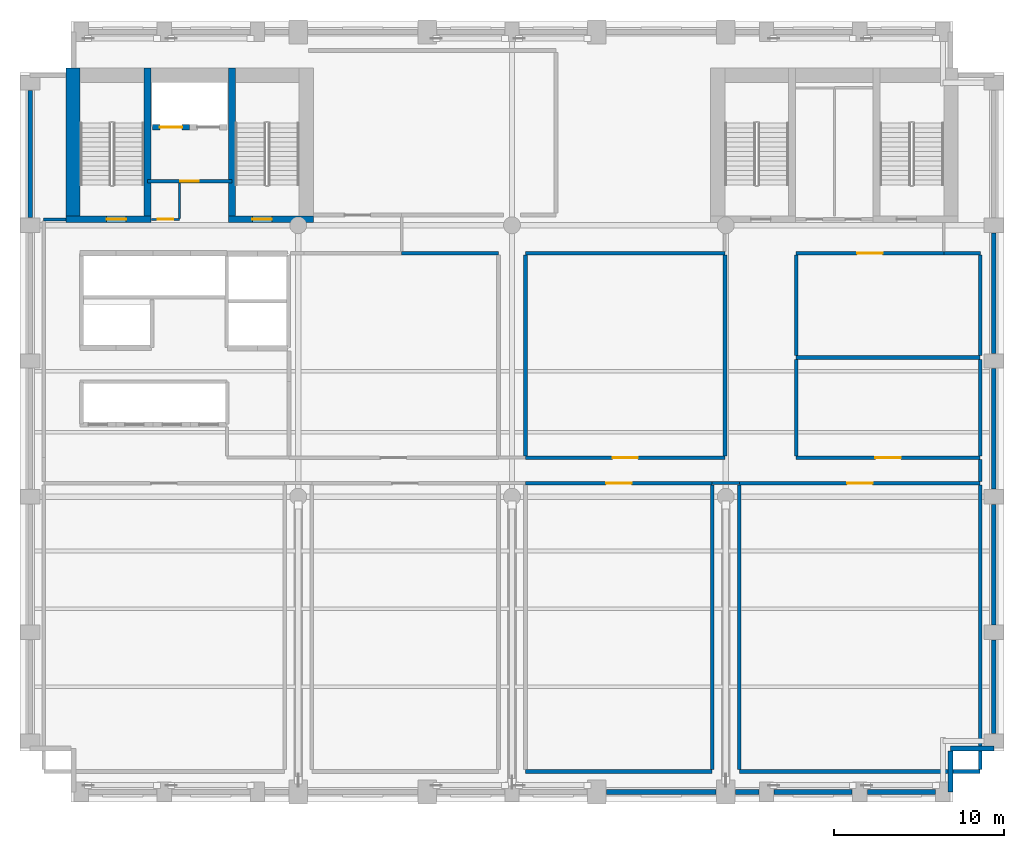
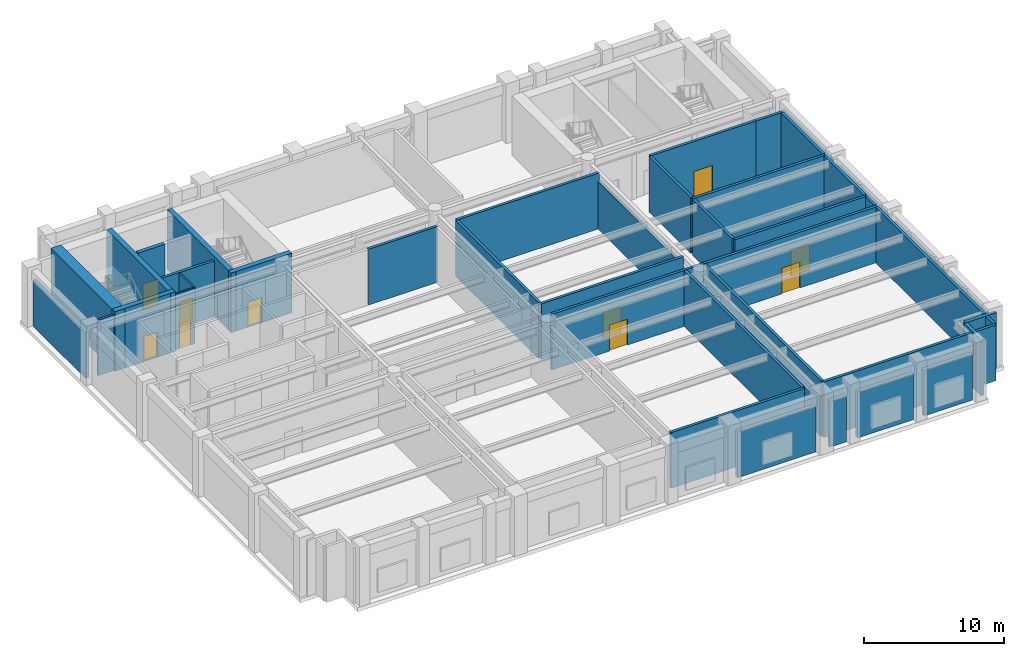
# One storey, part 6 of 11: 43 walls, 10 doors, 10 openings.
"""IFC4 building model written with IfcOpenShell, lengths in metres."""

from ifc_helpers import new_model, si_unit, direction, frame, frame_2d, origin, place, context, subcontext, project, spatial, rectangle, extrude, material, layer, layer_set, type_object, element, fill, save


model = new_model("IFC4")

# Units and contexts
model_context = context("Model", 3, precision=1e-05, world=origin(), true_north=direction((0.0, 1.0)))
body_context = subcontext(model_context, "Body", "Model", "MODEL_VIEW")
ifc_project = project(units=[si_unit("LENGTHUNIT", "METRE"), si_unit("AREAUNIT", "SQUARE_METRE"), si_unit("VOLUMEUNIT", "CUBIC_METRE"), si_unit("PLANEANGLEUNIT", "RADIAN"), si_unit("MASSUNIT", "GRAM", prefix="KILO")], contexts=[model_context])

# Site, building, storey
site_placement = place(None, origin())
site = spatial("IfcSite", under=ifc_project, at=site_placement, CompositionType="ELEMENT")
building_placement = place(site_placement, origin())
building = spatial("IfcBuilding", under=site, at=building_placement, Name="Sulina Concourse Tower", CompositionType="ELEMENT")
storey_placement = place(building_placement, frame((0.0, 0.0, 82.60009765625)))
storey = spatial("IfcBuildingStorey", under=building, at=storey_placement, Name="L20", CompositionType="ELEMENT", Elevation=82.60009765625)

# Wall, opening, door
ifc_material_1 = material(Name="Concrete C50/60", Category="concrete")
ifc_layer_1 = layer(ifc_material_1, 0.300048828125)
ifc_layer_set_1 = layer_set([ifc_layer_1], Name="Concrete C50/60")
wall_type_1 = type_object("IfcWallType", Name="Core Lift Hoistway Wall 300mm", PredefinedType="SOLIDWALL", material=ifc_layer_set_1)
wall_1_placement = place(storey_placement, frame((10.0, 39.780029296875, 0.0), z_axis=(0.0, 0.0, 1.0), x_axis=(-1.0, 0.0, 0.0)))
wall_1 = element("IfcWall", 1, at=wall_1_placement, inside=storey, type_object=wall_type_1, Name="L20 hoistway enclosure wall FFL-1", PredefinedType="SOLIDWALL", context=body_context, shape_type="SweptSolid", body=[
    extrude(rectangle(XDim=2.199951171875, YDim=0.300048828125, at=frame_2d((1.10009765625, 0.0))), origin(), (0.0, 0.0, 1.0), 5.199951171875),
])
opening_1_placement = place(wall_1_placement, frame((0.449951171875, 0.0, 0.0)))
opening_1 = element("IfcOpeningElement", 2, at=opening_1_placement, cuts=wall_1, Name="Opening LD-02", PredefinedType="OPENING", context=body_context, shape_type="SweptSolid", body=[
    extrude(rectangle(XDim=1.300048828125, YDim=2.25, at=frame_2d((0.64990234375, 1.125))), frame((0.0, 0.159912109375, 0.0), z_axis=(0.0, -1.0, 0.0), x_axis=(1.0, 0.0, 0.0)), (0.0, 0.0, 1.0), 0.320068359375),
])
ifc_material_2 = material(Name="Stainless steel lift landing door", Category="steel")
ifc_layer_2 = layer(ifc_material_2, 0.050048828125)
ifc_layer_set_2 = layer_set([ifc_layer_2], Name="Stainless steel lift landing door")
door_type_1 = type_object("IfcDoorType", Name="Firefighting Lift Sliding Landing Door 1300x2250", OperationType="SLIDING_TO_RIGHT", PredefinedType="DOOR", material=ifc_layer_set_2)
door_1_placement = place(opening_1_placement, origin())
door_1 = element("IfcDoor", 3, at=door_1_placement, inside=storey, type_object=door_type_1, Name="L20 lift landing sliding door FFL-1", OperationType="SLIDING_TO_LEFT", OverallHeight=2.25, OverallWidth=1.300048828125, PredefinedType="DOOR", context=body_context, shape_type="SweptSolid", body=[
    extrude(rectangle(XDim=1.300048828125, YDim=2.25, at=frame_2d((0.64990234375, 1.125))), frame((0.0, 0.02490234375, 0.0), z_axis=(0.0, -1.0, 0.0), x_axis=(1.0, 0.0, 0.0)), (0.0, 0.0, 1.0), 0.050048828125),
])
fill(opening_1, door_1)

ifc_material_3 = material(Name="Gypsum board on steel stud", Category="steel")
ifc_layer_3 = layer(ifc_material_3, 0.219970703125)
ifc_layer_set_3 = layer_set([ifc_layer_3], Name="Gypsum board on steel stud")
wall_type_2 = type_object("IfcWallType", Name="Fire-Rated Lobby & Compartment Wall 220mm", PredefinedType="PARTITIONING", material=ifc_layer_set_3)
wall_2_placement = place(storey_placement, frame((7.510009765625, 36.60009765625, 0.0), z_axis=(0.0, 0.0, 1.0), x_axis=(1.0, 0.0, 0.0)))
wall_2 = element("IfcWall", 4, at=wall_2_placement, inside=storey, type_object=wall_type_2, Name="L20 firefighting lobby south fire wall", PredefinedType="PARTITIONING", context=body_context, shape_type="SweptSolid", body=[
    extrude(rectangle(XDim=4.97998046875, YDim=0.219970703125, at=frame_2d((2.489990234375, 0.0))), origin(), (0.0, 0.0, 1.0), 4.85986328125),
])
opening_2_placement = place(wall_2_placement, frame((1.93994140625, 0.0, 0.0)))
opening_2 = element("IfcOpeningElement", 5, at=opening_2_placement, cuts=wall_2, Name="Opening DR-47", PredefinedType="OPENING", context=body_context, shape_type="SweptSolid", body=[
    extrude(rectangle(XDim=1.10009765625, YDim=2.199951171875, at=frame_2d((0.550048828125, 1.10009765625))), frame((0.0, 0.119873046875, 0.0), z_axis=(0.0, -1.0, 0.0), x_axis=(1.0, 0.0, 0.0)), (0.0, 0.0, 1.0), 0.239990234375),
])
ifc_material_4 = material(Name="Galvanised steel acoustic fire leaf", Category="steel")
ifc_layer_4 = layer(ifc_material_4, 0.054931640625)
ifc_layer_set_4 = layer_set([ifc_layer_4], Name="Galvanised steel acoustic fire leaf")
door_type_2 = type_object("IfcDoorType", Name="Firefighting Lobby Fire Door 1100x2200", OperationType="NOTDEFINED", PredefinedType="DOOR", material=ifc_layer_set_4)
door_2_placement = place(opening_2_placement, origin())
door_2 = element("IfcDoor", 6, at=door_2_placement, inside=storey, type_object=door_type_2, Name="L20 firefighting lobby fire door", OperationType="SINGLE_SWING_LEFT", OverallHeight=2.199951171875, OverallWidth=1.10009765625, PredefinedType="DOOR", context=body_context, shape_type="SweptSolid", body=[
    extrude(rectangle(XDim=1.10009765625, YDim=2.199951171875, at=frame_2d((0.550048828125, 1.10009765625))), frame((0.0, 0.02490234375, 0.0), z_axis=(0.0, -1.0, 0.0), x_axis=(1.0, 0.0, 0.0)), (0.0, 0.0, 1.0), 0.050048828125),
])
fill(opening_2, door_2)

# Walls
wall_3_placement = place(storey_placement, frame((29.800048828125, 1.800048828125, 0.0), z_axis=(0.0, 0.0, 1.0), x_axis=(1.0, 0.0, 0.0)))
element("IfcWall", 7, at=wall_3_placement, inside=storey, type_object=wall_type_2, Name="L20 interior partition 003", PredefinedType="PARTITIONING", context=body_context, shape_type="SweptSolid", body=[
    extrude(rectangle(XDim=11.0, YDim=0.219970703125, at=frame_2d((5.5, 0.0))), origin(), (0.0, 0.0, 1.0), 4.85986328125),
])
wall_4_placement = place(storey_placement, frame((42.39990234375, 1.800048828125, 0.0), z_axis=(0.0, 0.0, 1.0), x_axis=(1.0, 0.0, 0.0)))
element("IfcWall", 8, at=wall_4_placement, inside=storey, type_object=wall_type_2, Name="L20 interior partition 004", PredefinedType="PARTITIONING", context=body_context, shape_type="SweptSolid", body=[
    extrude(rectangle(XDim=14.2001953125, YDim=0.219970703125, at=frame_2d((7.10009765625, 0.0))), origin(), (0.0, 0.0, 1.0), 4.85986328125),
])

# Wall, opening, door
wall_5_placement = place(storey_placement, frame((29.800048828125, 18.800048828125, 0.0), z_axis=(0.0, 0.0, 1.0), x_axis=(1.0, 0.0, 0.0)))
wall_5 = element("IfcWall", 9, at=wall_5_placement, inside=storey, type_object=wall_type_2, Name="L20 interior partition 009", PredefinedType="PARTITIONING", context=body_context, shape_type="SweptSolid", body=[
    extrude(rectangle(XDim=11.0, YDim=0.219970703125, at=frame_2d((5.5, 0.0))), origin(), (0.0, 0.0, 1.0), 4.85986328125),
])
opening_3_placement = place(wall_5_placement, frame((4.75, 0.0, 0.0)))
opening_3 = element("IfcOpeningElement", 10, at=opening_3_placement, cuts=wall_5, Name="Opening DR-80", PredefinedType="OPENING", context=body_context, shape_type="SweptSolid", body=[
    extrude(rectangle(XDim=1.5, YDim=2.25, at=frame_2d((0.75, 1.125))), frame((0.0, 0.119873046875, 0.0), z_axis=(0.0, -1.0, 0.0), x_axis=(1.0, 0.0, 0.0)), (0.0, 0.0, 1.0), 0.239990234375),
])
ifc_material_5 = material(Name="Galvanised steel acoustic fire leaf", Category="steel")
ifc_layer_5 = layer(ifc_material_5, 0.054931640625)
ifc_layer_set_5 = layer_set([ifc_layer_5], Name="Galvanised steel acoustic fire leaf")
door_type_3 = type_object("IfcDoorType", Name="Mechanical Plant Double Fire Door 1500x2250", OperationType="DOUBLE_DOOR_SINGLE_SWING", PredefinedType="DOOR", material=ifc_layer_set_5)
door_3_placement = place(opening_3_placement, origin())
door_3 = element("IfcDoor", 11, at=door_3_placement, inside=storey, type_object=door_type_3, Name="L20 interior door L20-AHU-RM1", OperationType="DOUBLE_DOOR_SINGLE_SWING", OverallHeight=2.25, OverallWidth=1.5, PredefinedType="DOOR", context=body_context, shape_type="SweptSolid", body=[
    extrude(rectangle(XDim=1.5, YDim=2.25, at=frame_2d((0.75, 1.125))), frame((0.0, 0.02490234375, 0.0), z_axis=(0.0, -1.0, 0.0), x_axis=(1.0, 0.0, 0.0)), (0.0, 0.0, 1.0), 0.050048828125),
])
fill(opening_3, door_3)

wall_6_placement = place(storey_placement, frame((42.39990234375, 18.800048828125, 0.0), z_axis=(0.0, 0.0, 1.0), x_axis=(1.0, 0.0, 0.0)))
wall_6 = element("IfcWall", 12, at=wall_6_placement, inside=storey, type_object=wall_type_2, Name="L20 interior partition 011", PredefinedType="PARTITIONING", context=body_context, shape_type="SweptSolid", body=[
    extrude(rectangle(XDim=14.2001953125, YDim=0.219970703125, at=frame_2d((7.10009765625, 0.0))), origin(), (0.0, 0.0, 1.0), 4.85986328125),
])
opening_4_placement = place(wall_6_placement, frame((6.35009765625, 0.0, 0.0)))
opening_4 = element("IfcOpeningElement", 13, at=opening_4_placement, cuts=wall_6, Name="Opening DR-80", PredefinedType="OPENING", context=body_context, shape_type="SweptSolid", body=[
    extrude(rectangle(XDim=1.5, YDim=2.25, at=frame_2d((0.75, 1.125))), frame((0.0, 0.119873046875, 0.0), z_axis=(0.0, -1.0, 0.0), x_axis=(1.0, 0.0, 0.0)), (0.0, 0.0, 1.0), 0.239990234375),
])
door_4_placement = place(opening_4_placement, origin())
door_4 = element("IfcDoor", 14, at=door_4_placement, inside=storey, type_object=door_type_3, Name="L20 interior door L20-AHU-RM2", OperationType="DOUBLE_DOOR_SINGLE_SWING", OverallHeight=2.25, OverallWidth=1.5, PredefinedType="DOOR", context=body_context, shape_type="SweptSolid", body=[
    extrude(rectangle(XDim=1.5, YDim=2.25, at=frame_2d((0.75, 1.125))), frame((0.0, 0.02490234375, 0.0), z_axis=(0.0, -1.0, 0.0), x_axis=(1.0, 0.0, 0.0)), (0.0, 0.0, 1.0), 0.050048828125),
])
fill(opening_4, door_4)

wall_7_placement = place(storey_placement, frame((29.800048828125, 20.300048828125, 0.0), z_axis=(0.0, 0.0, 1.0), x_axis=(1.0, 0.0, 0.0)))
wall_7 = element("IfcWall", 15, at=wall_7_placement, inside=storey, type_object=wall_type_2, Name="L20 interior partition 015", PredefinedType="PARTITIONING", context=body_context, shape_type="SweptSolid", body=[
    extrude(rectangle(XDim=11.75, YDim=0.219970703125, at=frame_2d((5.875, 0.0))), origin(), (0.0, 0.0, 1.0), 4.85986328125),
])
opening_5_placement = place(wall_7_placement, frame((5.125, 0.0, 0.0)))
opening_5 = element("IfcOpeningElement", 16, at=opening_5_placement, cuts=wall_7, Name="Opening DR-80", PredefinedType="OPENING", context=body_context, shape_type="SweptSolid", body=[
    extrude(rectangle(XDim=1.5, YDim=2.25, at=frame_2d((0.75, 1.125))), frame((0.0, 0.119873046875, 0.0), z_axis=(0.0, -1.0, 0.0), x_axis=(1.0, 0.0, 0.0)), (0.0, 0.0, 1.0), 0.239990234375),
])
door_5_placement = place(opening_5_placement, origin())
door_5 = element("IfcDoor", 17, at=door_5_placement, inside=storey, type_object=door_type_3, Name="L20 interior door L20-SWG-RM2", OperationType="DOUBLE_DOOR_SINGLE_SWING", OverallHeight=2.25, OverallWidth=1.5, PredefinedType="DOOR", context=body_context, shape_type="SweptSolid", body=[
    extrude(rectangle(XDim=1.5, YDim=2.25, at=frame_2d((0.75, 1.125))), frame((0.0, 0.02490234375, 0.0), z_axis=(0.0, -1.0, 0.0), x_axis=(1.0, 0.0, 0.0)), (0.0, 0.0, 1.0), 0.050048828125),
])
fill(opening_5, door_5)

wall_8_placement = place(storey_placement, frame((45.75, 20.300048828125, 0.0), z_axis=(0.0, 0.0, 1.0), x_axis=(1.0, 0.0, 0.0)))
wall_8 = element("IfcWall", 18, at=wall_8_placement, inside=storey, type_object=wall_type_2, Name="L20 interior partition 016", PredefinedType="PARTITIONING", context=body_context, shape_type="SweptSolid", body=[
    extrude(rectangle(XDim=10.85009765625, YDim=0.219970703125, at=frame_2d((5.425048828125, 0.0))), origin(), (0.0, 0.0, 1.0), 4.85986328125),
])
opening_6_placement = place(wall_8_placement, frame((4.675048828125, 0.0, 0.0)))
opening_6 = element("IfcOpeningElement", 19, at=opening_6_placement, cuts=wall_8, Name="Opening DR-80", PredefinedType="OPENING", context=body_context, shape_type="SweptSolid", body=[
    extrude(rectangle(XDim=1.5, YDim=2.25, at=frame_2d((0.75, 1.125))), frame((0.0, 0.119873046875, 0.0), z_axis=(0.0, -1.0, 0.0), x_axis=(1.0, 0.0, 0.0)), (0.0, 0.0, 1.0), 0.239990234375),
])
door_6_placement = place(opening_6_placement, origin())
door_6 = element("IfcDoor", 20, at=door_6_placement, inside=storey, type_object=door_type_3, Name="L20 interior door L20-PMP-RM1", OperationType="DOUBLE_DOOR_SINGLE_SWING", OverallHeight=2.25, OverallWidth=1.5, PredefinedType="DOOR", context=body_context, shape_type="SweptSolid", body=[
    extrude(rectangle(XDim=1.5, YDim=2.25, at=frame_2d((0.75, 1.125))), frame((0.0, 0.02490234375, 0.0), z_axis=(0.0, -1.0, 0.0), x_axis=(1.0, 0.0, 0.0)), (0.0, 0.0, 1.0), 0.050048828125),
])
fill(opening_6, door_6)

# Walls
wall_9_placement = place(storey_placement, frame((45.75, 26.199951171875, 0.0), z_axis=(0.0, 0.0, 1.0), x_axis=(1.0, 0.0, 0.0)))
element("IfcWall", 21, at=wall_9_placement, inside=storey, type_object=wall_type_2, Name="L20 interior partition 017", PredefinedType="PARTITIONING", context=body_context, shape_type="SweptSolid", body=[
    extrude(rectangle(XDim=10.85009765625, YDim=0.219970703125, at=frame_2d((5.425048828125, 0.0))), origin(), (0.0, 0.0, 1.0), 4.85986328125),
])
wall_10_placement = place(storey_placement, frame((22.5, 32.35009765625, 0.0), z_axis=(0.0, 0.0, 1.0), x_axis=(1.0, 0.0, 0.0)))
element("IfcWall", 22, at=wall_10_placement, inside=storey, type_object=wall_type_2, Name="L20 interior partition 020", PredefinedType="PARTITIONING", context=body_context, shape_type="SweptSolid", body=[
    extrude(rectangle(XDim=5.699951171875, YDim=0.219970703125, at=frame_2d((2.85009765625, 0.0))), origin(), (0.0, 0.0, 1.0), 4.85986328125),
])
wall_11_placement = place(storey_placement, frame((29.800048828125, 32.35009765625, 0.0), z_axis=(0.0, 0.0, 1.0), x_axis=(1.0, 0.0, 0.0)))
element("IfcWall", 23, at=wall_11_placement, inside=storey, type_object=wall_type_2, Name="L20 interior partition 021", PredefinedType="PARTITIONING", context=body_context, shape_type="SweptSolid", body=[
    extrude(rectangle(XDim=11.75, YDim=0.219970703125, at=frame_2d((5.875, 0.0))), origin(), (0.0, 0.0, 1.0), 4.85986328125),
])

# Wall, opening, door
wall_12_placement = place(storey_placement, frame((45.75, 32.35009765625, 0.0), z_axis=(0.0, 0.0, 1.0), x_axis=(1.0, 0.0, 0.0)))
wall_12 = element("IfcWall", 24, at=wall_12_placement, inside=storey, type_object=wall_type_2, Name="L20 interior partition 022", PredefinedType="PARTITIONING", context=body_context, shape_type="SweptSolid", body=[
    extrude(rectangle(XDim=8.699951171875, YDim=0.219970703125, at=frame_2d((4.35009765625, 0.0))), origin(), (0.0, 0.0, 1.0), 4.85986328125),
])
opening_7_placement = place(wall_12_placement, frame((3.60009765625, 0.0, 0.0)))
opening_7 = element("IfcOpeningElement", 25, at=opening_7_placement, cuts=wall_12, Name="Opening DR-80", PredefinedType="OPENING", context=body_context, shape_type="SweptSolid", body=[
    extrude(rectangle(XDim=1.5, YDim=2.25, at=frame_2d((0.75, 1.125))), frame((0.0, 0.119873046875, 0.0), z_axis=(0.0, -1.0, 0.0), x_axis=(1.0, 0.0, 0.0)), (0.0, 0.0, 1.0), 0.239990234375),
])
door_7_placement = place(opening_7_placement, origin())
door_7 = element("IfcDoor", 26, at=door_7_placement, inside=storey, type_object=door_type_3, Name="L20 interior door L20-PMP-RM2", OperationType="DOUBLE_DOOR_SINGLE_SWING", OverallHeight=2.25, OverallWidth=1.5, PredefinedType="DOOR", context=body_context, shape_type="SweptSolid", body=[
    extrude(rectangle(XDim=1.5, YDim=2.25, at=frame_2d((0.75, 1.125))), frame((0.0, 0.02490234375, 0.0), z_axis=(0.0, -1.0, 0.0), x_axis=(1.0, 0.0, 0.0)), (0.0, 0.0, 1.0), 0.050048828125),
])
fill(opening_7, door_7)

# Walls
wall_13_placement = place(storey_placement, frame((54.449951171875, 32.35009765625, 0.0), z_axis=(0.0, 0.0, 1.0), x_axis=(1.0, 0.0, 0.0)))
element("IfcWall", 27, at=wall_13_placement, inside=storey, type_object=wall_type_2, Name="L20 interior partition 023", PredefinedType="PARTITIONING", context=body_context, shape_type="SweptSolid", body=[
    extrude(rectangle(XDim=2.150146484375, YDim=0.219970703125, at=frame_2d((1.0751953125, 0.0))), origin(), (0.0, 0.0, 1.0), 4.85986328125),
])
wall_14_placement = place(storey_placement, frame((29.800048828125, 20.409912109375, 0.0), z_axis=(0.0, 0.0, 1.0), x_axis=(0.0, 1.0, 0.0)))
element("IfcWall", 28, at=wall_14_placement, inside=storey, type_object=wall_type_2, Name="L20 interior partition 045", PredefinedType="PARTITIONING", context=body_context, shape_type="SweptSolid", body=[
    extrude(rectangle(XDim=11.830078125, YDim=0.219970703125, at=frame_2d((5.9150390625, 0.0))), origin(), (0.0, 0.0, 1.0), 4.85986328125),
])
wall_15_placement = place(storey_placement, frame((40.800048828125, 1.909912109375, 0.0), z_axis=(0.0, 0.0, 1.0), x_axis=(0.0, 1.0, 0.0)))
element("IfcWall", 29, at=wall_15_placement, inside=storey, type_object=wall_type_2, Name="L20 interior partition 047", PredefinedType="PARTITIONING", context=body_context, shape_type="SweptSolid", body=[
    extrude(rectangle(XDim=16.780029296875, YDim=0.219970703125, at=frame_2d((8.39013671875, 0.0))), origin(), (0.0, 0.0, 1.0), 4.85986328125),
])
wall_16_placement = place(storey_placement, frame((41.550048828125, 20.409912109375, 0.0), z_axis=(0.0, 0.0, 1.0), x_axis=(0.0, 1.0, 0.0)))
element("IfcWall", 30, at=wall_16_placement, inside=storey, type_object=wall_type_2, Name="L20 interior partition 048", PredefinedType="PARTITIONING", context=body_context, shape_type="SweptSolid", body=[
    extrude(rectangle(XDim=11.830078125, YDim=0.219970703125, at=frame_2d((5.9150390625, 0.0))), origin(), (0.0, 0.0, 1.0), 4.15478515625),
])
wall_17_placement = place(storey_placement, frame((42.39990234375, 1.909912109375, 0.0), z_axis=(0.0, 0.0, 1.0), x_axis=(0.0, 1.0, 0.0)))
element("IfcWall", 31, at=wall_17_placement, inside=storey, type_object=wall_type_2, Name="L20 interior partition 050", PredefinedType="PARTITIONING", context=body_context, shape_type="SweptSolid", body=[
    extrude(rectangle(XDim=16.780029296875, YDim=0.219970703125, at=frame_2d((8.39013671875, 0.0))), origin(), (0.0, 0.0, 1.0), 4.85986328125),
])
wall_18_placement = place(storey_placement, frame((45.75, 20.409912109375, 0.0), z_axis=(0.0, 0.0, 1.0), x_axis=(0.0, 1.0, 0.0)))
element("IfcWall", 32, at=wall_18_placement, inside=storey, type_object=wall_type_2, Name="L20 interior partition 051", PredefinedType="PARTITIONING", context=body_context, shape_type="SweptSolid", body=[
    extrude(rectangle(XDim=5.68017578125, YDim=0.219970703125, at=frame_2d((2.840087890625, 0.0))), origin(), (0.0, 0.0, 1.0), 4.85986328125),
])
wall_19_placement = place(storey_placement, frame((45.75, 26.31005859375, 0.0), z_axis=(0.0, 0.0, 1.0), x_axis=(0.0, 1.0, 0.0)))
element("IfcWall", 33, at=wall_19_placement, inside=storey, type_object=wall_type_2, Name="L20 interior partition 052", PredefinedType="PARTITIONING", context=body_context, shape_type="SweptSolid", body=[
    extrude(rectangle(XDim=5.929931640625, YDim=0.219970703125, at=frame_2d((2.96484375, 0.0))), origin(), (0.0, 0.0, 1.0), 4.85986328125),
])
wall_20_placement = place(storey_placement, frame((56.60009765625, 1.909912109375, 0.0), z_axis=(0.0, 0.0, 1.0), x_axis=(0.0, 1.0, 0.0)))
element("IfcWall", 34, at=wall_20_placement, inside=storey, type_object=wall_type_2, Name="L20 interior partition 055", PredefinedType="PARTITIONING", context=body_context, shape_type="SweptSolid", body=[
    extrude(rectangle(XDim=16.780029296875, YDim=0.219970703125, at=frame_2d((8.39013671875, 0.0))), origin(), (0.0, 0.0, 1.0), 4.85986328125),
])
wall_21_placement = place(storey_placement, frame((56.60009765625, 20.409912109375, 0.0), z_axis=(0.0, 0.0, 1.0), x_axis=(0.0, 1.0, 0.0)))
element("IfcWall", 35, at=wall_21_placement, inside=storey, type_object=wall_type_2, Name="L20 interior partition 057", PredefinedType="PARTITIONING", context=body_context, shape_type="SweptSolid", body=[
    extrude(rectangle(XDim=5.68017578125, YDim=0.219970703125, at=frame_2d((2.840087890625, 0.0))), origin(), (0.0, 0.0, 1.0), 4.85986328125),
])
wall_22_placement = place(storey_placement, frame((56.60009765625, 26.31005859375, 0.0), z_axis=(0.0, 0.0, 1.0), x_axis=(0.0, 1.0, 0.0)))
element("IfcWall", 36, at=wall_22_placement, inside=storey, type_object=wall_type_2, Name="L20 interior partition 058", PredefinedType="PARTITIONING", context=body_context, shape_type="SweptSolid", body=[
    extrude(rectangle(XDim=5.929931640625, YDim=0.219970703125, at=frame_2d((2.96484375, 0.0))), origin(), (0.0, 0.0, 1.0), 4.85986328125),
])
ifc_material_6 = material(Name="Gypsum board on steel stud", Category="steel")
ifc_layer_6 = layer(ifc_material_6, 0.179931640625)
ifc_layer_set_6 = layer_set([ifc_layer_6], Name="Gypsum board on steel stud")
wall_type_3 = type_object("IfcWallType", Name="Protected Corridor & Riser Partition 180mm", PredefinedType="PARTITIONING", material=ifc_layer_set_6)
wall_23_placement = place(storey_placement, frame((40.800048828125, 18.800048828125, 0.0), z_axis=(0.0, 0.0, 1.0), x_axis=(1.0, 0.0, 0.0)))
element("IfcWall", 37, at=wall_23_placement, inside=storey, type_object=wall_type_3, Name="L20 interior partition 010", PredefinedType="PARTITIONING", context=body_context, shape_type="SweptSolid", body=[
    extrude(rectangle(XDim=1.599853515625, YDim=0.179931640625, at=frame_2d((0.7998046875, 0.0))), origin(), (0.0, 0.0, 1.0), 4.85986328125),
])
wall_24_placement = place(storey_placement, frame((1.39990234375, 34.35009765625, 0.0), z_axis=(0.0, 0.0, 1.0), x_axis=(1.0, 0.0, 0.0)))
element("IfcWall", 38, at=wall_24_placement, inside=storey, type_object=wall_type_3, Name="L20 interior partition 024", PredefinedType="PARTITIONING", context=body_context, shape_type="SweptSolid", body=[
    extrude(rectangle(XDim=1.300048828125, YDim=0.179931640625, at=frame_2d((0.64990234375, 0.0))), origin(), (0.0, 0.0, 1.0), 4.85986328125),
])
wall_25_placement = place(storey_placement, frame((56.60009765625, 18.909912109375, 0.0), z_axis=(0.0, 0.0, 1.0), x_axis=(0.0, 1.0, 0.0)))
element("IfcWall", 39, at=wall_25_placement, inside=storey, type_object=wall_type_3, Name="L20 interior partition 056", PredefinedType="PARTITIONING", context=body_context, shape_type="SweptSolid", body=[
    extrude(rectangle(XDim=1.280029296875, YDim=0.179931640625, at=frame_2d((0.64013671875, 0.0))), origin(), (0.0, 0.0, 1.0), 4.85986328125),
])

# Wall, opening, door
ifc_material_7 = material(Name="Concrete C60/75", Category="concrete")
ifc_layer_7 = layer(ifc_material_7, 0.39990234375)
ifc_layer_set_7 = layer_set([ifc_layer_7], Name="Concrete C60/75")
wall_type_4 = type_object("IfcWallType", Name="Protected Stair Core Shear Wall 400mm", PredefinedType="SHEAR", material=ifc_layer_set_7)
wall_26_placement = place(storey_placement, frame((2.699951171875, 34.35009765625, 0.0), z_axis=(0.0, 0.0, 1.0), x_axis=(1.0, 0.0, 0.0)))
wall_26 = element("IfcWall", 40, at=wall_26_placement, inside=storey, type_object=wall_type_4, Name="L20 west core shear wall CW-WS1", PredefinedType="SHEAR", context=body_context, shape_type="SweptSolid", body=[
    extrude(rectangle(XDim=5.010009765625, YDim=0.39990234375, at=frame_2d((2.5048828125, 0.0))), origin(), (0.0, 0.0, 1.0), 5.199951171875),
])
opening_8_placement = place(wall_26_placement, frame((2.39990234375, 0.0, 0.0)))
opening_8 = element("IfcOpeningElement", 41, at=opening_8_placement, cuts=wall_26, Name="Opening DR-60", PredefinedType="OPENING", context=body_context, shape_type="SweptSolid", body=[
    extrude(rectangle(XDim=1.14990234375, YDim=2.199951171875, at=frame_2d((0.574951171875, 1.10009765625))), frame((0.0, 0.2099609375, 0.0), z_axis=(0.0, -1.0, 0.0), x_axis=(1.0, 0.0, 0.0)), (0.0, 0.0, 1.0), 0.419921875),
])
ifc_material_8 = material(Name="Galvanised steel acoustic fire leaf", Category="steel")
ifc_layer_8 = layer(ifc_material_8, 0.054931640625)
ifc_layer_set_8 = layer_set([ifc_layer_8], Name="Galvanised steel acoustic fire leaf")
door_type_4 = type_object("IfcDoorType", Name="Protected Exit Stair Fire Door 1150x2200", OperationType="NOTDEFINED", PredefinedType="DOOR", material=ifc_layer_set_8)
door_8_placement = place(opening_8_placement, origin())
door_8 = element("IfcDoor", 42, at=door_8_placement, inside=storey, type_object=door_type_4, Name="L20 stair ST-1 lobby fire door", OperationType="SINGLE_SWING_LEFT", OverallHeight=2.199951171875, OverallWidth=1.14990234375, PredefinedType="DOOR", context=body_context, shape_type="SweptSolid", body=[
    extrude(rectangle(XDim=1.14990234375, YDim=2.199951171875, at=frame_2d((0.574951171875, 1.10009765625))), frame((0.0, 0.02490234375, 0.0), z_axis=(0.0, -1.0, 0.0), x_axis=(1.0, 0.0, 0.0)), (0.0, 0.0, 1.0), 0.050048828125),
])
fill(opening_8, door_8)

wall_27_placement = place(storey_placement, frame((12.2900390625, 34.35009765625, 0.0), z_axis=(0.0, 0.0, 1.0), x_axis=(1.0, 0.0, 0.0)))
wall_27 = element("IfcWall", 43, at=wall_27_placement, inside=storey, type_object=wall_type_4, Name="L20 west core shear wall CW-WS2", PredefinedType="SHEAR", context=body_context, shape_type="SweptSolid", body=[
    extrude(rectangle(XDim=5.010009765625, YDim=0.39990234375, at=frame_2d((2.5048828125, 0.0))), origin(), (0.0, 0.0, 1.0), 5.199951171875),
])
opening_9_placement = place(wall_27_placement, frame((1.39990234375, 0.0, 0.0)))
opening_9 = element("IfcOpeningElement", 44, at=opening_9_placement, cuts=wall_27, Name="Opening DR-60", PredefinedType="OPENING", context=body_context, shape_type="SweptSolid", body=[
    extrude(rectangle(XDim=1.14990234375, YDim=2.199951171875, at=frame_2d((0.574951171875, 1.10009765625))), frame((0.0, 0.2099609375, 0.0), z_axis=(0.0, -1.0, 0.0), x_axis=(1.0, 0.0, 0.0)), (0.0, 0.0, 1.0), 0.419921875),
])
door_9_placement = place(opening_9_placement, origin())
door_9 = element("IfcDoor", 45, at=door_9_placement, inside=storey, type_object=door_type_4, Name="L20 stair ST-2 lobby fire door", OperationType="SINGLE_SWING_RIGHT", OverallHeight=2.199951171875, OverallWidth=1.14990234375, PredefinedType="DOOR", context=body_context, shape_type="SweptSolid", body=[
    extrude(rectangle(XDim=1.14990234375, YDim=2.199951171875, at=frame_2d((0.574951171875, 1.10009765625))), frame((0.0, 0.02490234375, 0.0), z_axis=(0.0, -1.0, 0.0), x_axis=(1.0, 0.0, 0.0)), (0.0, 0.0, 1.0), 0.050048828125),
])
fill(opening_9, door_9)

# Walls
for number, where, z_axis, x_axis, name in (
    (46, (7.510009765625, 34.14990234375, 0.0), (0.0, 0.0, 1.0), (0.0, 1.0, 0.0), "L20 west core shear wall SW-ST1"),
    (47, (12.489990234375, 34.14990234375, 0.0), (0.0, 0.0, 1.0), (0.0, 1.0, 0.0), "L20 west core shear wall SW-ST2"),
):
    element("IfcWall", number, at=place(storey_placement, frame(where, z_axis=z_axis, x_axis=x_axis)), inside=storey, type_object=wall_type_4, Name=name, PredefinedType="SHEAR", context=body_context, shape_type="SweptSolid", body=[
        extrude(rectangle(XDim=9.130126953125, YDim=0.39990234375, at=frame_2d((4.56494140625, 0.0))), origin(), (0.0, 0.0, 1.0), 5.199951171875),
    ])
ifc_material_9 = material(Name="Concrete C60/75", Category="concrete")
ifc_layer_9 = layer(ifc_material_9, 0.85009765625)
ifc_layer_set_9 = layer_set([ifc_layer_9], Name="Concrete C60/75")
wall_type_5 = type_object("IfcWallType", Name="Rear Core Shear Wall 850mm", PredefinedType="SHEAR", material=ifc_layer_set_9)
wall_28_placement = place(storey_placement, frame((3.125, 34.14990234375, 0.0), z_axis=(0.0, 0.0, 1.0), x_axis=(0.0, 1.0, 0.0)))
element("IfcWall", 48, at=wall_28_placement, inside=storey, type_object=wall_type_5, Name="L20 west core shear wall CW-WW", PredefinedType="SHEAR", context=body_context, shape_type="SweptSolid", body=[
    extrude(rectangle(XDim=9.130126953125, YDim=0.85009765625, at=frame_2d((4.56494140625, 0.0))), origin(), (0.0, 0.0, 1.0), 5.199951171875),
])
ifc_material_10 = material(Name="Precast concrete C50/60", Category="concrete")
ifc_layer_10 = layer(ifc_material_10, 0.280029296875)
ifc_layer_set_10 = layer_set([ifc_layer_10], Name="Precast concrete C50/60")
wall_type_6 = type_object("IfcWallType", Name="Typical Precast Masonry-Frame Facade Wall 280mm", PredefinedType="SOLIDWALL", material=ifc_layer_set_10)
wall_29_placement = place(storey_placement, frame((41.030029296875, 0.60009765625, 0.0), z_axis=(0.0, 0.0, 1.0), x_axis=(-1.0, 0.0, 0.0)))
element("IfcWall", 49, at=wall_29_placement, inside=storey, type_object=wall_type_6, Name="L20 exterior precast wall S7", PredefinedType="SOLIDWALL", context=body_context, shape_type="SweptSolid", body=[
    extrude(rectangle(XDim=6.4599609375, YDim=0.280029296875, at=frame_2d((3.22998046875, 0.0))), origin(), (0.0, 0.0, 1.0), 4.010009765625),
])
wall_30_placement = place(storey_placement, frame((43.554931640625, 0.60009765625, 0.0), z_axis=(0.0, 0.0, 1.0), x_axis=(-1.0, 0.0, 0.0)))
element("IfcWall", 50, at=wall_30_placement, inside=storey, type_object=wall_type_6, Name="L20 exterior precast wall S8", PredefinedType="SOLIDWALL", context=body_context, shape_type="SweptSolid", body=[
    extrude(rectangle(XDim=1.385009765625, YDim=0.280029296875, at=frame_2d((0.6923828125, 0.0))), origin(), (0.0, 0.0, 1.0), 4.010009765625),
])
wall_31_placement = place(storey_placement, frame((49.054931640625, 0.60009765625, 0.0), z_axis=(0.0, 0.0, 1.0), x_axis=(-1.0, 0.0, 0.0)))
element("IfcWall", 51, at=wall_31_placement, inside=storey, type_object=wall_type_6, Name="L20 exterior precast wall S9", PredefinedType="SOLIDWALL", context=body_context, shape_type="SweptSolid", body=[
    extrude(rectangle(XDim=4.60986328125, YDim=0.280029296875, at=frame_2d((2.304931640625, 0.0))), origin(), (0.0, 0.0, 1.0), 4.010009765625),
])
wall_32_placement = place(storey_placement, frame((53.955078125, 0.60009765625, 0.0), z_axis=(0.0, 0.0, 1.0), x_axis=(-1.0, 0.0, 0.0)))
element("IfcWall", 52, at=wall_32_placement, inside=storey, type_object=wall_type_6, Name="L20 exterior precast wall S10", PredefinedType="SOLIDWALL", context=body_context, shape_type="SweptSolid", body=[
    extrude(rectangle(XDim=4.010009765625, YDim=0.280029296875, at=frame_2d((2.0048828125, 0.0))), origin(), (0.0, 0.0, 1.0), 4.010009765625),
])
wall_33_placement = place(storey_placement, frame((0.60009765625, 34.445068359375, 0.0), z_axis=(0.0, 0.0, 1.0), x_axis=(0.0, 1.0, 0.0)))
element("IfcWall", 53, at=wall_33_placement, inside=storey, type_object=wall_type_6, Name="L20 exterior precast wall W5", PredefinedType="SOLIDWALL", context=body_context, shape_type="SweptSolid", body=[
    extrude(rectangle(XDim=7.510009765625, YDim=0.280029296875, at=frame_2d((3.7548828125, 0.0))), origin(), (0.0, 0.0, 1.0), 4.010009765625),
])
wall_34_placement = place(storey_placement, frame((57.39990234375, 9.554931640625, 0.0), z_axis=(0.0, 0.0, 1.0), x_axis=(0.0, -1.0, 0.0)))
element("IfcWall", 54, at=wall_34_placement, inside=storey, type_object=wall_type_6, Name="L20 exterior precast wall E1", PredefinedType="SOLIDWALL", context=body_context, shape_type="SweptSolid", body=[
    extrude(rectangle(XDim=5.510009765625, YDim=0.280029296875, at=frame_2d((2.7548828125, 0.0))), origin(), (0.0, 0.0, 1.0), 4.010009765625),
])
for number, where, z_axis, x_axis, name in (
    (55, (57.39990234375, 17.554931640625, 0.0), (0.0, 0.0, 1.0), (0.0, -1.0, 0.0), "L20 exterior precast wall E2"),
    (56, (57.39990234375, 25.554931640625, 0.0), (0.0, 0.0, 1.0), (0.0, -1.0, 0.0), "L20 exterior precast wall E3"),
    (57, (57.39990234375, 33.554931640625, 0.0), (0.0, 0.0, 1.0), (0.0, -1.0, 0.0), "L20 exterior precast wall E4"),
):
    element("IfcWall", number, at=place(storey_placement, frame(where, z_axis=z_axis, x_axis=x_axis)), inside=storey, type_object=wall_type_6, Name=name, PredefinedType="SOLIDWALL", context=body_context, shape_type="SweptSolid", body=[
        extrude(rectangle(XDim=7.10986328125, YDim=0.280029296875, at=frame_2d((3.554931640625, 0.0))), origin(), (0.0, 0.0, 1.0), 4.010009765625),
    ])
wall_35_placement = place(storey_placement, frame((57.39990234375, 3.155029296875, 0.0), z_axis=(0.0, 0.0, 1.0), x_axis=(-1.0, 0.0, 0.0)))
element("IfcWall", 58, at=wall_35_placement, inside=storey, type_object=wall_type_6, Name="L20 exterior precast wall CSE1", PredefinedType="SOLIDWALL", context=body_context, shape_type="SweptSolid", body=[
    extrude(rectangle(XDim=2.554931640625, YDim=0.280029296875, at=frame_2d((1.27734375, 0.0))), origin(), (0.0, 0.0, 1.0), 4.85986328125),
])
wall_36_placement = place(storey_placement, frame((54.844970703125, 3.010009765625, 0.0), z_axis=(0.0, 0.0, 1.0), x_axis=(0.0, -1.0, 0.0)))
element("IfcWall", 59, at=wall_36_placement, inside=storey, type_object=wall_type_6, Name="L20 exterior precast wall CSE2", PredefinedType="SOLIDWALL", context=body_context, shape_type="SweptSolid", body=[
    extrude(rectangle(XDim=2.409912109375, YDim=0.280029296875, at=frame_2d((1.205078125, 0.0))), origin(), (0.0, 0.0, 1.0), 4.85986328125),
])

# Wall, opening, door
ifc_material_11 = material(Name="Gypsum board on steel stud", Category="steel")
ifc_layer_11 = layer(ifc_material_11, 0.125)
ifc_layer_set_11 = layer_set([ifc_layer_11], Name="Gypsum board on steel stud")
wall_type_7 = type_object("IfcWallType", Name="Wet-Area Moisture-Resistant Partition 125mm", PredefinedType="PARTITIONING", material=ifc_layer_set_11)
wall_37_placement = place(storey_placement, frame((7.75, 34.35009765625, 0.0), z_axis=(0.0, 0.0, 1.0), x_axis=(1.0, 0.0, 0.0)))
wall_37 = element("IfcWall", 60, at=wall_37_placement, inside=storey, type_object=wall_type_7, Name="L20 interior partition 025", PredefinedType="PARTITIONING", context=body_context, shape_type="SweptSolid", body=[
    extrude(rectangle(XDim=1.64990234375, YDim=0.125, at=frame_2d((0.824951171875, 0.0))), origin(), (0.0, 0.0, 1.0), 4.85986328125),
])
opening_10_placement = place(wall_37_placement, frame((0.364990234375, 0.0, 0.0)))
opening_10 = element("IfcOpeningElement", 61, at=opening_10_placement, cuts=wall_37, Name="Opening DR-61", PredefinedType="OPENING", context=body_context, shape_type="SweptSolid", body=[
    extrude(rectangle(XDim=0.919921875, YDim=2.10009765625, at=frame_2d((0.4599609375, 1.050048828125))), frame((0.0, 0.072509765625, 0.0), z_axis=(0.0, -1.0, 0.0), x_axis=(1.0, 0.0, 0.0)), (0.0, 0.0, 1.0), 0.14501953125),
])
ifc_material_12 = material(Name="Oak-veneered fire door leaf")
ifc_layer_12 = layer(ifc_material_12, 0.050048828125)
ifc_layer_set_12 = layer_set([ifc_layer_12], Name="Oak-veneered fire door leaf")
door_type_5 = type_object("IfcDoorType", Name="Accessible WC Door 920x2100", OperationType="NOTDEFINED", PredefinedType="DOOR", material=ifc_layer_set_12)
door_10_placement = place(opening_10_placement, origin())
door_10 = element("IfcDoor", 62, at=door_10_placement, inside=storey, type_object=door_type_5, Name="L20 interior door L20-WC-ACC", OperationType="SINGLE_SWING_LEFT", OverallHeight=2.10009765625, OverallWidth=0.919921875, PredefinedType="DOOR", context=body_context, shape_type="SweptSolid", body=[
    extrude(rectangle(XDim=0.919921875, YDim=2.10009765625, at=frame_2d((0.4599609375, 1.050048828125))), frame((0.0, 0.02490234375, 0.0), z_axis=(0.0, -1.0, 0.0), x_axis=(1.0, 0.0, 0.0)), (0.0, 0.0, 1.0), 0.050048828125),
])
fill(opening_10, door_10)

# Wall
wall_38_placement = place(storey_placement, frame((9.39990234375, 34.41259765625, 0.0), z_axis=(0.0, 0.0, 1.0), x_axis=(0.0, 1.0, 0.0)))
element("IfcWall", 63, at=wall_38_placement, inside=storey, type_object=wall_type_7, Name="L20 interior partition 035", PredefinedType="PARTITIONING", context=body_context, shape_type="SweptSolid", body=[
    extrude(rectangle(XDim=2.077392578125, YDim=0.125, at=frame_2d((1.03857421875, 0.0))), origin(), (0.0, 0.0, 1.0), 4.85986328125),
])

save(model, "model.ifc")
